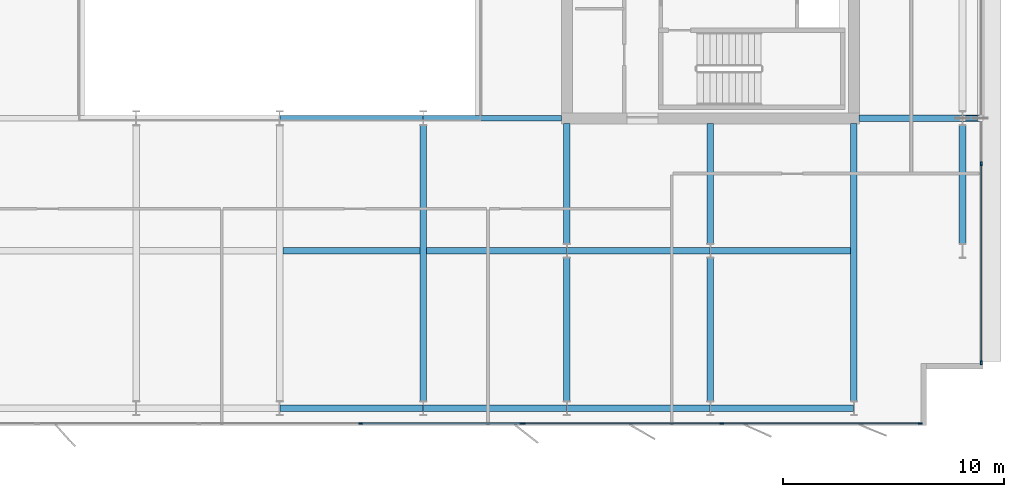
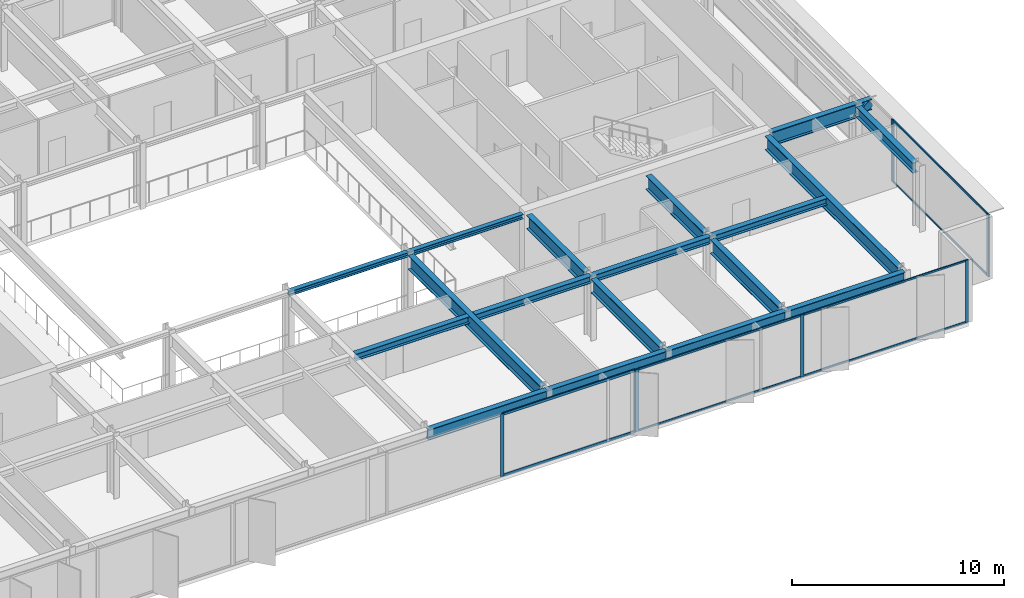
# One storey, part 6 of 19: 19 beams, 16 members, 3 elements without a shape of their own.
"""IFC4 building model written with IfcOpenShell, lengths in metres."""

import ifcopenshell
import ifcopenshell.guid

model = None  # the IFC model being written
_history = None  # IfcOwnerHistory: only IFC2X3 demands one
_inside = {}  # id of a spatial element -> (the spatial element, [elements in it])
_under = {}  # id of a project, library or spatial element -> (it, [spatial elements below it])
_declared = {}  # id of a project -> (the project, [libraries it declares])
_typed = {}  # id of a type object -> (the type object, [elements of that type])
_made_of = {}  # id of a material, layer set ... -> (it, [elements and type objects made of it])


def new_model(schema):
    """Start an empty IFC model of exactly this schema.

    Asked for "IFC4X3", IfcOpenShell would pick the latest addendum, in which some entities
    have other attributes; the version numbers below select the first issue.
    IFC2X3 requires an IfcOwnerHistory on every rooted entity: one is made here for all.
    """
    global model, _history
    if schema == "IFC4X3":
        model = ifcopenshell.file(schema_version=(4, 3, 0, 0))
    else:
        model = ifcopenshell.file(schema=schema)
    _inside.clear()
    _under.clear()
    _declared.clear()
    _typed.clear()
    _made_of.clear()
    _history = None
    if model.schema == "IFC2X3":
        org = make("IfcOrganization", Name="unknown")
        user = make(
            "IfcPersonAndOrganization",
            ThePerson=make("IfcPerson", FamilyName="unknown"),
            TheOrganization=org,
        )
        app = make(
            "IfcApplication",
            ApplicationDeveloper=org,
            Version="unknown",
            ApplicationFullName="unknown",
            ApplicationIdentifier="unknown",
        )
        _history = make(
            "IfcOwnerHistory",
            OwningUser=user,
            OwningApplication=app,
            ChangeAction="ADDED",
            CreationDate=0,
        )
    return model


def make(cls, **values):
    """One entity of the class cls with the attributes given. An attribute that is None is left unset."""
    return model.create_entity(
        cls, **{name: value for name, value in values.items() if value is not None}
    )


def rooted(cls, **values):
    """An entity with a GlobalId (a new one), such as an element, a storey or a relation."""
    return make(cls, GlobalId=ifcopenshell.guid.new(), OwnerHistory=_history, **values)


def si_unit(unit_type, name, prefix=None):
    """IfcSIUnit, for example si_unit("LENGTHUNIT", "METRE", prefix="MILLI")."""
    return make("IfcSIUnit", UnitType=unit_type, Prefix=prefix, Name=name)


def assignment(units):
    """IfcUnitAssignment: the units of a project."""
    return None if units is None else make("IfcUnitAssignment", Units=units)


def point(xyz):
    """IfcCartesianPoint."""
    return None if xyz is None else make("IfcCartesianPoint", Coordinates=xyz)


def direction(xyz):
    """IfcDirection."""
    return None if xyz is None else make("IfcDirection", DirectionRatios=xyz)


def frame(location, z_axis=None, x_axis=None):
    """IfcAxis2Placement3D, a coordinate frame: its origin and axes. An axis left out is left unset."""
    return make(
        "IfcAxis2Placement3D",
        Location=point(location),
        Axis=direction(z_axis),
        RefDirection=direction(x_axis),
    )


def frame_2d(location, x_axis=None):
    """IfcAxis2Placement2D, a coordinate frame in the plane: its origin and x axis."""
    return make(
        "IfcAxis2Placement2D", Location=point(location), RefDirection=direction(x_axis)
    )


def origin():
    """The frame at (0, 0, 0) with its axes left unset."""
    return frame((0.0, 0.0, 0.0))


def origin_2d():
    """The frame at (0, 0) in the plane with its x axis left unset."""
    return frame_2d((0.0, 0.0))


def place(relative_to, where):
    """IfcLocalPlacement: puts the frame where relative to a parent placement (None: the world)."""
    return make(
        "IfcLocalPlacement", PlacementRelTo=relative_to, RelativePlacement=where
    )


def context(
    kind, dimensions, precision=None, world=None, true_north=None, identifier=None
):
    """IfcGeometricRepresentationContext, for example the 3D "Model" context."""
    return make(
        "IfcGeometricRepresentationContext",
        ContextIdentifier=identifier,
        ContextType=kind,
        CoordinateSpaceDimension=dimensions,
        Precision=precision,
        WorldCoordinateSystem=world,
        TrueNorth=true_north,
    )


def subcontext(parent, identifier, kind, view, scale=None):
    """IfcGeometricRepresentationSubContext, for example "Body" below "Model"."""
    return make(
        "IfcGeometricRepresentationSubContext",
        ContextIdentifier=identifier,
        ContextType=kind,
        ParentContext=parent,
        TargetScale=scale,
        TargetView=view,
    )


def project(units=None, contexts=None):
    """IfcProject with its units and contexts."""
    return rooted(
        "IfcProject",
        Name="project",
        RepresentationContexts=contexts,
        UnitsInContext=assignment(units),
    )


def spatial(cls, under=None, at=None, **own):
    """A site, building, storey or space (cls), placed at a placement, below another one or the project."""
    s = rooted(cls, ObjectPlacement=at, **own)
    if under is not None:
        _under.setdefault(under.id(), (under, []))[1].append(s)
    return s


def profile(cls, at=None, kind="AREA", **sizes):
    """A parametric profile (cls). Its sizes go by their IFC names, for example OverallWidth=200.0."""
    return make(cls, ProfileType=kind, Position=at, **sizes)


def rectangle(**sizes):
    """IfcRectangleProfileDef."""
    return profile("IfcRectangleProfileDef", **sizes)


def hollow_rectangle(**sizes):
    """IfcRectangleHollowProfileDef."""
    return profile("IfcRectangleHollowProfileDef", **sizes)


def i_section(**sizes):
    """IfcIShapeProfileDef."""
    return profile("IfcIShapeProfileDef", **sizes)


def extrude(swept, where, along, depth):
    """IfcExtrudedAreaSolid: the profile swept, set in the frame where, extruded along a direction by depth."""
    return make(
        "IfcExtrudedAreaSolid",
        SweptArea=swept,
        Position=where,
        ExtrudedDirection=direction(along),
        Depth=depth,
    )


def shape(context_of_items, identifier, shape_type, items):
    """IfcShapeRepresentation: the items that make up one representation, for example the "Body"."""
    return make(
        "IfcShapeRepresentation",
        ContextOfItems=context_of_items,
        RepresentationIdentifier=identifier,
        RepresentationType=shape_type,
        Items=items,
    )


def material(Name=None, Category=None):
    """IfcMaterial."""
    return make("IfcMaterial", Name=Name, Category=Category)


def layer(
    of_material, thickness, ventilated=None, Name=None, Category=None, Priority=None
):
    """IfcMaterialLayer: one layer of a wall or slab, of a material (None: an air gap)."""
    return make(
        "IfcMaterialLayer",
        Material=of_material,
        LayerThickness=thickness,
        IsVentilated=ventilated,
        Name=Name,
        Category=Category,
        Priority=Priority,
    )


def layer_set(layers, Name=None):
    """IfcMaterialLayerSet."""
    return make("IfcMaterialLayerSet", MaterialLayers=layers, LayerSetName=Name)


def material_profile(
    of_material, cross_section, Name=None, Category=None, Priority=None
):
    """IfcMaterialProfile: a cross section and its material."""
    return make(
        "IfcMaterialProfile",
        Name=Name,
        Material=of_material,
        Profile=cross_section,
        Priority=Priority,
        Category=Category,
    )


def profile_set(profiles, Name=None, composite=None):
    """IfcMaterialProfileSet."""
    return make(
        "IfcMaterialProfileSet",
        Name=Name,
        MaterialProfiles=profiles,
        CompositeProfile=composite,
    )


def made_of(thing, what):
    """Note that an element or type object is made of a material, layer set ...; save() writes the relation."""
    if what is not None:
        _made_of.setdefault(what.id(), (what, []))[1].append(thing)
    return thing


def type_object(cls, material=None, **own):
    """A type object (cls), such as IfcWallType, which elements share."""
    return made_of(rooted(cls, **own), material)


def element(
    cls,
    number,
    at=None,
    inside=None,
    cuts=None,
    type_object=None,
    material=None,
    context=None,
    identifier="Body",
    shape_type=None,
    held_by="IfcProductDefinitionShape",
    body=None,
    shapes=None,
    **own,
):
    """One element of the class cls, such as IfcWall. Its Tag is "e" and its number.

    at: its placement. inside: the storey or other place that contains it. cuts: it is an
    opening in that element (IfcRelVoidsElement). A single representation is given by context,
    identifier, shape_type and body (its items); several are given by shapes. held_by: the class
    of the entity that holds the representations. save() writes the other relations.
    """
    e = rooted(cls, Tag="e%d" % number, ObjectPlacement=at, **own)
    if body is not None:
        shapes = [shape(context, identifier, shape_type, body)]
    if shapes is not None:
        e.Representation = make(held_by, Representations=shapes)
    if inside is not None:
        _inside.setdefault(inside.id(), (inside, []))[1].append(e)
    if cuts is not None:
        rooted(
            "IfcRelVoidsElement", RelatingBuildingElement=cuts, RelatedOpeningElement=e
        )
    if type_object is not None:
        _typed.setdefault(type_object.id(), (type_object, []))[1].append(e)
    return made_of(e, material)


def aggregate(whole, parts):
    """IfcRelAggregates: a whole, such as a stair, and the parts it consists of."""
    return rooted("IfcRelAggregates", RelatingObject=whole, RelatedObjects=parts)


def save(model, path):
    """Write the relations noted so far, then the file.

    IfcRelAggregates (storeys below a building ...), IfcRelContainedInSpatialStructure (elements
    in a storey), IfcRelDefinesByType, IfcRelAssociatesMaterial and IfcRelDeclares: one each for
    every whole, place, type object, material and project.
    """
    for whole, parts in _under.values():
        aggregate(whole, parts)
    for where, things in _inside.values():
        rooted(
            "IfcRelContainedInSpatialStructure",
            RelatedElements=things,
            RelatingStructure=where,
        )
    for kind, things in _typed.values():
        rooted("IfcRelDefinesByType", RelatedObjects=things, RelatingType=kind)
    for what, things in _made_of.values():
        rooted("IfcRelAssociatesMaterial", RelatedObjects=things, RelatingMaterial=what)
    for by, libraries in _declared.values():
        rooted("IfcRelDeclares", RelatingContext=by, RelatedDefinitions=libraries)
    model.write(path)


model = new_model("IFC4")

# Units and contexts
model_context = context("Model", 3, precision=1e-05, world=origin(), true_north=direction((0.0, 1.0)))
body_context = subcontext(model_context, "Body", "Model", "MODEL_VIEW")
ifc_project = project(units=[si_unit("LENGTHUNIT", "METRE"), si_unit("AREAUNIT", "SQUARE_METRE"), si_unit("VOLUMEUNIT", "CUBIC_METRE"), si_unit("PLANEANGLEUNIT", "RADIAN"), si_unit("MASSUNIT", "GRAM", prefix="KILO")], contexts=[model_context])

# Site, building, storey
site_placement = place(None, origin())
site = spatial("IfcSite", under=ifc_project, at=site_placement, CompositionType="ELEMENT")
building_placement = place(site_placement, origin())
building = spatial("IfcBuilding", under=site, at=building_placement, Name="Putna Gate Headquarters", CompositionType="ELEMENT")
storey_placement = place(building_placement, frame((0.0, 0.0, 259.39990234375)))
storey = spatial("IfcBuildingStorey", under=building, at=storey_placement, Name="L65", CompositionType="ELEMENT", Elevation=259.39990234375)

# Beams
ifc_material_1 = material(Name="Steel S355J2", Category="steel")
ifc_material_profile_1 = material_profile(ifc_material_1, i_section(OverallWidth=0.260009765625, OverallDepth=0.260009765625, WebThickness=0.010009765625, FlangeThickness=0.017578125, at=origin_2d()), Name="Steel S355J2")
ifc_profile_set_1 = profile_set([ifc_material_profile_1], Name="Steel S355J2")
beam_type_1 = type_object("IfcBeamType", Name="BM-ATRIUM-HEB260", PredefinedType="BEAM", material=ifc_profile_set_1)
beam_1_placement = place(storey_placement, frame((39.006103515625, 19.0, 3.4580078125), z_axis=(1.0, 0.0, 0.0), x_axis=(0.0, 1.0, 0.0)))
element("IfcBeam", 1, at=beam_1_placement, inside=storey, type_object=beam_type_1, Name="L65 Atrium Edge Beam AS3", PredefinedType="BEAM", context=body_context, shape_type="SweptSolid", body=[
    extrude(i_section(OverallWidth=0.260009765625, OverallDepth=0.260009765625, WebThickness=0.010009765625, FlangeThickness=0.017578125, at=origin_2d()), origin(), (0.0, 0.0, 1.0), 6.48779296875),
])
beam_2_placement = place(storey_placement, frame((45.506103515625, 19.0, 3.4580078125), z_axis=(1.0, 0.0, 0.0), x_axis=(0.0, 1.0, 0.0)))
element("IfcBeam", 2, at=beam_2_placement, inside=storey, type_object=beam_type_1, Name="L65 Atrium Edge Beam AS4", PredefinedType="BEAM", context=body_context, shape_type="SweptSolid", body=[
    extrude(i_section(OverallWidth=0.260009765625, OverallDepth=0.260009765625, WebThickness=0.010009765625, FlangeThickness=0.017578125, at=origin_2d()), origin(), (0.0, 0.0, 1.0), 6.2587890625),
])
ifc_material_profile_2 = material_profile(ifc_material_1, i_section(OverallWidth=0.300048828125, OverallDepth=0.800048828125, WebThickness=0.017578125, FlangeThickness=0.032958984375, at=origin_2d()), Name="Steel S355J2")
ifc_profile_set_2 = profile_set([ifc_material_profile_2], Name="Steel S355J2")
beam_type_2 = type_object("IfcBeamType", Name="BM-GIRD-P-HEB800", PredefinedType="USERDEFINED", material=ifc_profile_set_2)
beam_3_placement = place(storey_placement, frame((65.235107421875, 19.0, 3.18798828125), z_axis=(1.0, 0.0, 0.0), x_axis=(0.0, 1.0, 0.0)))
element("IfcBeam", 3, at=beam_3_placement, inside=storey, type_object=beam_type_2, Name="L65 East Wing Girder Y19", ObjectType="GIRDER", PredefinedType="USERDEFINED", context=body_context, shape_type="SweptSolid", body=[
    extrude(i_section(OverallWidth=0.300048828125, OverallDepth=0.800048828125, WebThickness=0.017578125, FlangeThickness=0.032958984375, at=origin_2d()), origin(), (0.0, 0.0, 1.0), 4.678955078125),
])
beam_4_placement = place(storey_placement, frame((45.5, 6.201904296875, 3.18798828125), z_axis=(0.0, 1.0, 0.0), x_axis=(-1.0, 0.0, 0.0)))
element("IfcBeam", 4, at=beam_4_placement, inside=storey, type_object=beam_type_2, Name="L65 South Primary Girder X45", ObjectType="GIRDER", PredefinedType="USERDEFINED", context=body_context, shape_type="SweptSolid", body=[
    extrude(i_section(OverallWidth=0.300048828125, OverallDepth=0.800048828125, WebThickness=0.017578125, FlangeThickness=0.032958984375, at=origin_2d()), origin(), (0.0, 0.0, 1.0), 12.47607421875),
])
beam_5_placement = place(storey_placement, frame((52.0, 6.201904296875, 3.18798828125), z_axis=(0.0, 1.0, 0.0), x_axis=(-1.0, 0.0, 0.0)))
element("IfcBeam", 5, at=beam_5_placement, inside=storey, type_object=beam_type_2, Name="L65 South Primary Girder X52-1", ObjectType="GIRDER", PredefinedType="USERDEFINED", context=body_context, shape_type="SweptSolid", body=[
    extrude(i_section(OverallWidth=0.300048828125, OverallDepth=0.800048828125, WebThickness=0.017578125, FlangeThickness=0.032958984375, at=origin_2d()), origin(), (0.0, 0.0, 1.0), 6.47607421875),
])
beam_6_placement = place(storey_placement, frame((52.0, 13.322021484375, 3.18798828125), z_axis=(0.0, 1.0, 0.0), x_axis=(-1.0, 0.0, 0.0)))
element("IfcBeam", 6, at=beam_6_placement, inside=storey, type_object=beam_type_2, Name="L65 South Primary Girder X52-2", ObjectType="GIRDER", PredefinedType="USERDEFINED", context=body_context, shape_type="SweptSolid", body=[
    extrude(i_section(OverallWidth=0.300048828125, OverallDepth=0.800048828125, WebThickness=0.017578125, FlangeThickness=0.032958984375, at=origin_2d()), origin(), (0.0, 0.0, 1.0), 5.44287109375),
])
beam_7_placement = place(storey_placement, frame((58.5, 6.201904296875, 3.18798828125), z_axis=(0.0, 1.0, 0.0), x_axis=(-1.0, 0.0, 0.0)))
element("IfcBeam", 7, at=beam_7_placement, inside=storey, type_object=beam_type_2, Name="L65 South Primary Girder X58-1", ObjectType="GIRDER", PredefinedType="USERDEFINED", context=body_context, shape_type="SweptSolid", body=[
    extrude(i_section(OverallWidth=0.300048828125, OverallDepth=0.800048828125, WebThickness=0.017578125, FlangeThickness=0.032958984375, at=origin_2d()), origin(), (0.0, 0.0, 1.0), 6.47607421875),
])
beam_8_placement = place(storey_placement, frame((58.5, 13.322021484375, 3.18798828125), z_axis=(0.0, 1.0, 0.0), x_axis=(-1.0, 0.0, 0.0)))
element("IfcBeam", 8, at=beam_8_placement, inside=storey, type_object=beam_type_2, Name="L65 South Primary Girder X58-2", ObjectType="GIRDER", PredefinedType="USERDEFINED", context=body_context, shape_type="SweptSolid", body=[
    extrude(i_section(OverallWidth=0.300048828125, OverallDepth=0.800048828125, WebThickness=0.017578125, FlangeThickness=0.032958984375, at=origin_2d()), origin(), (0.0, 0.0, 1.0), 5.44287109375),
])
beam_9_placement = place(storey_placement, frame((65.0, 6.201904296875, 3.18798828125), z_axis=(0.0, 1.0, 0.0), x_axis=(-1.0, 0.0, 0.0)))
element("IfcBeam", 9, at=beam_9_placement, inside=storey, type_object=beam_type_2, Name="L65 South Primary Girder X65", ObjectType="GIRDER", PredefinedType="USERDEFINED", context=body_context, shape_type="SweptSolid", body=[
    extrude(i_section(OverallWidth=0.300048828125, OverallDepth=0.800048828125, WebThickness=0.017578125, FlangeThickness=0.032958984375, at=origin_2d()), origin(), (0.0, 0.0, 1.0), 12.56298828125),
])
ifc_material_profile_3 = material_profile(ifc_material_1, i_section(OverallWidth=0.300048828125, OverallDepth=0.60009765625, WebThickness=0.015380859375, FlangeThickness=0.030029296875, at=origin_2d()), Name="Steel S355J2")
ifc_profile_set_3 = profile_set([ifc_material_profile_3], Name="Steel S355J2")
beam_type_3 = type_object("IfcBeamType", Name="BM-GIRD-SAIL-HEB600", PredefinedType="USERDEFINED", material=ifc_profile_set_3)
beam_10_placement = place(storey_placement, frame((69.926025390625, 19.0, 3.2880859375), z_axis=(1.0, 0.0, 0.0), x_axis=(0.0, 1.0, 0.0)))
element("IfcBeam", 10, at=beam_10_placement, inside=storey, type_object=beam_type_3, Name="L65 East Sail Outrigger Bracket Y19", ObjectType="GIRDER", PredefinedType="USERDEFINED", context=body_context, shape_type="SweptSolid", body=[
    extrude(i_section(OverallWidth=0.300048828125, OverallDepth=0.60009765625, WebThickness=0.015380859375, FlangeThickness=0.030029296875, at=origin_2d()), origin(), (0.0, 0.0, 1.0), 0.81298828125),
])
ifc_material_profile_4 = material_profile(ifc_material_1, i_section(OverallWidth=0.300048828125, OverallDepth=0.389892578125, WebThickness=0.010986328125, FlangeThickness=0.01904296875, at=origin_2d()), Name="Steel S355J2")
ifc_profile_set_4 = profile_set([ifc_material_profile_4], Name="Steel S355J2")
beam_type_4 = type_object("IfcBeamType", Name="BM-SEC-Z5-HEA400", PredefinedType="BEAM", material=ifc_profile_set_4)
beam_11_placement = place(storey_placement, frame((39.154052734375, 13.0, 3.39306640625), z_axis=(1.0, 0.0, 0.0), x_axis=(0.0, 1.0, 0.0)))
element("IfcBeam", 11, at=beam_11_placement, inside=storey, type_object=beam_type_4, Name="L65 South Secondary Beam 5", PredefinedType="BEAM", context=body_context, shape_type="SweptSolid", body=[
    extrude(i_section(OverallWidth=0.300048828125, OverallDepth=0.389892578125, WebThickness=0.010986328125, FlangeThickness=0.01904296875, at=origin_2d()), origin(), (0.0, 0.0, 1.0), 6.19189453125),
])
beam_12_placement = place(storey_placement, frame((45.654052734375, 13.0, 3.39306640625), z_axis=(1.0, 0.0, 0.0), x_axis=(0.0, 1.0, 0.0)))
element("IfcBeam", 12, at=beam_12_placement, inside=storey, type_object=beam_type_4, Name="L65 South Secondary Beam 6", PredefinedType="BEAM", context=body_context, shape_type="SweptSolid", body=[
    extrude(i_section(OverallWidth=0.300048828125, OverallDepth=0.389892578125, WebThickness=0.010986328125, FlangeThickness=0.01904296875, at=origin_2d()), origin(), (0.0, 0.0, 1.0), 6.33984375),
])
beam_13_placement = place(storey_placement, frame((52.006103515625, 13.0, 3.39306640625), z_axis=(1.0, 0.0, 0.0), x_axis=(0.0, 1.0, 0.0)))
element("IfcBeam", 13, at=beam_13_placement, inside=storey, type_object=beam_type_4, Name="L65 South Secondary Beam 7", PredefinedType="BEAM", context=body_context, shape_type="SweptSolid", body=[
    extrude(i_section(OverallWidth=0.300048828125, OverallDepth=0.389892578125, WebThickness=0.010986328125, FlangeThickness=0.01904296875, at=origin_2d()), origin(), (0.0, 0.0, 1.0), 6.48779296875),
])
beam_14_placement = place(storey_placement, frame((58.506103515625, 13.0, 3.39306640625), z_axis=(1.0, 0.0, 0.0), x_axis=(0.0, 1.0, 0.0)))
element("IfcBeam", 14, at=beam_14_placement, inside=storey, type_object=beam_type_4, Name="L65 South Secondary Beam 8", PredefinedType="BEAM", context=body_context, shape_type="SweptSolid", body=[
    extrude(i_section(OverallWidth=0.300048828125, OverallDepth=0.389892578125, WebThickness=0.010986328125, FlangeThickness=0.01904296875, at=origin_2d()), origin(), (0.0, 0.0, 1.0), 6.33984375),
])
ifc_material_profile_5 = material_profile(ifc_material_1, i_section(OverallWidth=0.300048828125, OverallDepth=0.590087890625, WebThickness=0.012939453125, FlangeThickness=0.02490234375, at=origin_2d()), Name="Steel S355J2")
ifc_profile_set_5 = profile_set([ifc_material_profile_5], Name="Steel S355J2")
beam_type_5 = type_object("IfcBeamType", Name="BM-SPAN-Z4-HEA600", PredefinedType="SPANDREL", material=ifc_profile_set_5)
for number, where, z_axis, x_axis, name in (
    (15, (39.006103515625, 5.8798828125, 3.293212890625), (1.0, 0.0, 0.0), (0.0, 1.0, 0.0), "L65 S Perimeter Spandrel 5"),
    (16, (45.506103515625, 5.8798828125, 3.293212890625), (1.0, 0.0, 0.0), (0.0, 1.0, 0.0), "L65 S Perimeter Spandrel 6"),
    (17, (52.006103515625, 5.8798828125, 3.293212890625), (1.0, 0.0, 0.0), (0.0, 1.0, 0.0), "L65 S Perimeter Spandrel 7"),
    (18, (58.506103515625, 5.8798828125, 3.293212890625), (1.0, 0.0, 0.0), (0.0, 1.0, 0.0), "L65 S Perimeter Spandrel 8"),
):
    element("IfcBeam", number, at=place(storey_placement, frame(where, z_axis=z_axis, x_axis=x_axis)), inside=storey, type_object=beam_type_5, Name=name, PredefinedType="SPANDREL", context=body_context, shape_type="SweptSolid", body=[
        extrude(i_section(OverallWidth=0.300048828125, OverallDepth=0.590087890625, WebThickness=0.012939453125, FlangeThickness=0.02490234375, at=origin_2d()), origin(), (0.0, 0.0, 1.0), 6.48779296875),
    ])
beam_15_placement = place(storey_placement, frame((69.919921875, 13.322021484375, 3.293212890625), z_axis=(0.0, 1.0, 0.0), x_axis=(-1.0, 0.0, 0.0)))
element("IfcBeam", 19, at=beam_15_placement, inside=storey, type_object=beam_type_5, Name="L65 E End Spandrel 1", PredefinedType="SPANDREL", context=body_context, shape_type="SweptSolid", body=[
    extrude(i_section(OverallWidth=0.300048828125, OverallDepth=0.590087890625, WebThickness=0.012939453125, FlangeThickness=0.02490234375, at=origin_2d()), origin(), (0.0, 0.0, 1.0), 5.35595703125),
])

# Member
ifc_material_2 = material(Name="Steel S460M", Category="steel")
ifc_material_profile_6 = material_profile(ifc_material_2, hollow_rectangle(XDim=0.25, YDim=0.39990234375, WallThickness=0.01611328125, at=origin_2d()), Name="Steel S460M")
ifc_profile_set_6 = profile_set([ifc_material_profile_6], Name="Steel S460M")
member_type_1 = type_object("IfcMemberType", Name="MEM-SAIL-BRACE-RHS400", PredefinedType="BRACE", material=ifc_profile_set_6)
member_1_placement = place(storey_placement, frame((69.930908203125, 19.0, 2.76220703125), z_axis=(0.796526130817, 0.0, 0.604604104291), x_axis=(0.0, 1.0, 0.0)))
element("IfcMember", 20, at=member_1_placement, inside=storey, type_object=member_type_1, Name="L65 East Sail Cantilever Raker Y19", PredefinedType="BRACE", context=body_context, shape_type="SweptSolid", body=[
    extrude(hollow_rectangle(XDim=0.25, YDim=0.39990234375, WallThickness=0.01611328125, at=origin_2d()), origin(), (0.0, 0.0, 1.0), 0.98193359375),
])

# Curtain wall, members
ifc_material_3 = material(Name="Anodised bronze aluminium curtain wall", Category="aluminium")
ifc_layer_1 = layer(ifc_material_3, 0.179931640625)
ifc_layer_set_1 = layer_set([ifc_layer_1], Name="Anodised bronze aluminium curtain wall")
curtain_wall_type_1 = type_object("IfcCurtainWallType", Name="CW-SYS-Z5", PredefinedType="USERDEFINED", material=ifc_layer_set_1)
curtain_wall_1_placement = place(storey_placement, origin())
curtain_wall_1 = element("IfcCurtainWall", 21, at=curtain_wall_1_placement, inside=storey, type_object=curtain_wall_type_1, Name="L65 South East Curtain Wall", ObjectType="STICK CURTAIN WALL", PredefinedType="USERDEFINED")
ifc_material_4 = material(Name="Anodised bronze aluminium EN AW-6060", Category="aluminium")
ifc_material_profile_7 = material_profile(ifc_material_4, rectangle(XDim=0.070068359375, YDim=0.179931640625, at=origin_2d()), Name="Anodised bronze aluminium EN AW-6060")
ifc_profile_set_7 = profile_set([ifc_material_profile_7], Name="Anodised bronze aluminium EN AW-6060")
member_type_2 = type_object("IfcMemberType", Name="MULL-CWM-5", PredefinedType="MULLION", material=ifc_profile_set_7)
member_2_placement = place(storey_placement, frame((50.034912109375, 5.179931640625, 0.0), z_axis=(0.0, 0.0, 1.0), x_axis=(0.0, 1.0, 0.0)))
member_2 = element("IfcMember", 22, at=member_2_placement, type_object=member_type_2, Name="CWS-5 mullion 1", PredefinedType="MULLION", context=body_context, shape_type="SweptSolid", body=[
    extrude(rectangle(XDim=0.070068359375, YDim=0.179931640625, at=origin_2d()), origin(), (0.0, 0.0, 1.0), 3.588134765625),
])
member_3_placement = place(storey_placement, frame((59.02392578125, 5.179931640625, 0.0), z_axis=(0.0, 0.0, 1.0), x_axis=(0.0, 1.0, 0.0)))
member_3 = element("IfcMember", 23, at=member_3_placement, type_object=member_type_2, Name="CWS-5 mullion 2", PredefinedType="MULLION", context=body_context, shape_type="SweptSolid", body=[
    extrude(rectangle(XDim=0.070068359375, YDim=0.179931640625, at=origin_2d()), origin(), (0.0, 0.0, 1.0), 3.588134765625),
])
member_4_placement = place(storey_placement, frame((68.012939453125, 5.179931640625, 0.0), z_axis=(0.0, 0.0, 1.0), x_axis=(0.0, 1.0, 0.0)))
member_4 = element("IfcMember", 24, at=member_4_placement, type_object=member_type_2, Name="CWS-5 mullion 3", PredefinedType="MULLION", context=body_context, shape_type="SweptSolid", body=[
    extrude(rectangle(XDim=0.070068359375, YDim=0.179931640625, at=origin_2d()), origin(), (0.0, 0.0, 1.0), 3.588134765625),
])

curtain_wall_2_placement = place(storey_placement, origin())
curtain_wall_2 = element("IfcCurtainWall", 25, at=curtain_wall_2_placement, inside=storey, type_object=curtain_wall_type_1, Name="L65 East Curtain Wall", ObjectType="STICK CURTAIN WALL", PredefinedType="USERDEFINED")
member_5_placement = place(storey_placement, frame((70.767822265625, 7.93505859375, 0.0), z_axis=(0.0, 0.0, 1.0), x_axis=(-1.0, 0.0, 0.0)))
member_5 = element("IfcMember", 26, at=member_5_placement, type_object=member_type_2, Name="CWS-5 mullion 1", PredefinedType="MULLION", context=body_context, shape_type="SweptSolid", body=[
    extrude(rectangle(XDim=0.070068359375, YDim=0.179931640625, at=origin_2d()), origin(), (0.0, 0.0, 1.0), 3.588134765625),
])
member_6_placement = place(storey_placement, frame((70.767822265625, 16.949951171875, 0.0), z_axis=(0.0, 0.0, 1.0), x_axis=(-1.0, 0.0, 0.0)))
member_6 = element("IfcMember", 27, at=member_6_placement, type_object=member_type_2, Name="CWS-5 mullion 2", PredefinedType="MULLION", context=body_context, shape_type="SweptSolid", body=[
    extrude(rectangle(XDim=0.070068359375, YDim=0.179931640625, at=origin_2d()), origin(), (0.0, 0.0, 1.0), 3.588134765625),
])

ifc_layer_2 = layer(ifc_material_3, 0.179931640625)
ifc_layer_set_2 = layer_set([ifc_layer_2], Name="Anodised bronze aluminium curtain wall")
curtain_wall_type_2 = type_object("IfcCurtainWallType", Name="CW-SYS-ATR", PredefinedType="USERDEFINED", material=ifc_layer_set_2)
curtain_wall_3_placement = place(storey_placement, origin())
curtain_wall_3 = element("IfcCurtainWall", 28, at=curtain_wall_3_placement, inside=storey, type_object=curtain_wall_type_2, Name="L65 South Atrium Clear Glazing", ObjectType="ATRIUM GLAZING", PredefinedType="USERDEFINED")
ifc_material_profile_8 = material_profile(ifc_material_4, rectangle(XDim=0.070068359375, YDim=0.179931640625, at=origin_2d()), Name="Anodised bronze aluminium EN AW-6060")
ifc_profile_set_8 = profile_set([ifc_material_profile_8], Name="Anodised bronze aluminium EN AW-6060")
member_type_3 = type_object("IfcMemberType", Name="MULL-CWM-AT", PredefinedType="MULLION", material=ifc_profile_set_8)
member_7_placement = place(storey_placement, frame((42.666748046875, 5.179931640625, 0.0), z_axis=(0.0, 0.0, 1.0), x_axis=(0.0, 1.0, 0.0)))
member_7 = element("IfcMember", 29, at=member_7_placement, type_object=member_type_3, Name="CWS-AT mullion 3", PredefinedType="MULLION", context=body_context, shape_type="SweptSolid", body=[
    extrude(rectangle(XDim=0.070068359375, YDim=0.179931640625, at=origin_2d()), origin(), (0.0, 0.0, 1.0), 3.588134765625),
])
member_8_placement = place(storey_placement, frame((49.965087890625, 5.179931640625, 0.0), z_axis=(0.0, 0.0, 1.0), x_axis=(0.0, 1.0, 0.0)))
member_8 = element("IfcMember", 30, at=member_8_placement, type_object=member_type_3, Name="CWS-AT mullion 4", PredefinedType="MULLION", context=body_context, shape_type="SweptSolid", body=[
    extrude(rectangle(XDim=0.070068359375, YDim=0.179931640625, at=origin_2d()), origin(), (0.0, 0.0, 1.0), 3.588134765625),
])

# Member
ifc_material_profile_9 = material_profile(ifc_material_4, rectangle(XDim=0.06005859375, YDim=0.10009765625, at=origin_2d()), Name="Anodised bronze aluminium EN AW-6060")
ifc_profile_set_9 = profile_set([ifc_material_profile_9], Name="Anodised bronze aluminium EN AW-6060")
member_type_4 = type_object("IfcMemberType", Name="TRAN-CWT-5", PredefinedType="USERDEFINED", material=ifc_profile_set_9)
member_9_placement = place(storey_placement, frame((50.070068359375, 5.179931640625, 0.030029296875), z_axis=(1.0, 0.0, 0.0), x_axis=(0.0, 1.0, 0.0)))
member_9 = element("IfcMember", 31, at=member_9_placement, type_object=member_type_4, Name="CWS-5 transom 1.1", ObjectType="TRANSOM", PredefinedType="USERDEFINED", context=body_context, shape_type="SweptSolid", body=[
    extrude(rectangle(XDim=0.06005859375, YDim=0.10009765625, at=origin_2d()), origin(), (0.0, 0.0, 1.0), 8.9189453125),
])

member_10_placement = place(storey_placement, frame((50.070068359375, 5.179931640625, 3.55810546875), z_axis=(1.0, 0.0, 0.0), x_axis=(0.0, 1.0, 0.0)))
member_10 = element("IfcMember", 32, at=member_10_placement, type_object=member_type_4, Name="CWS-5 transom 1.2", ObjectType="TRANSOM", PredefinedType="USERDEFINED", context=body_context, shape_type="SweptSolid", body=[
    extrude(rectangle(XDim=0.06005859375, YDim=0.10009765625, at=origin_2d()), origin(), (0.0, 0.0, 1.0), 8.9189453125),
])

member_11_placement = place(storey_placement, frame((59.058837890625, 5.179931640625, 0.030029296875), z_axis=(1.0, 0.0, 0.0), x_axis=(0.0, 1.0, 0.0)))
member_11 = element("IfcMember", 33, at=member_11_placement, type_object=member_type_4, Name="CWS-5 transom 2.1", ObjectType="TRANSOM", PredefinedType="USERDEFINED", context=body_context, shape_type="SweptSolid", body=[
    extrude(rectangle(XDim=0.06005859375, YDim=0.10009765625, at=origin_2d()), origin(), (0.0, 0.0, 1.0), 8.9189453125),
])

member_12_placement = place(storey_placement, frame((59.058837890625, 5.179931640625, 3.55810546875), z_axis=(1.0, 0.0, 0.0), x_axis=(0.0, 1.0, 0.0)))
member_12 = element("IfcMember", 34, at=member_12_placement, type_object=member_type_4, Name="CWS-5 transom 2.2", ObjectType="TRANSOM", PredefinedType="USERDEFINED", context=body_context, shape_type="SweptSolid", body=[
    extrude(rectangle(XDim=0.06005859375, YDim=0.10009765625, at=origin_2d()), origin(), (0.0, 0.0, 1.0), 8.9189453125),
])

aggregate(curtain_wall_1, [member_2, member_3, member_4, member_9, member_10, member_11, member_12])

member_13_placement = place(storey_placement, frame((70.767822265625, 7.969970703125, 0.030029296875), z_axis=(0.0, 1.0, 0.0), x_axis=(-1.0, 0.0, 0.0)))
member_13 = element("IfcMember", 35, at=member_13_placement, type_object=member_type_4, Name="CWS-5 transom 1.1", ObjectType="TRANSOM", PredefinedType="USERDEFINED", context=body_context, shape_type="SweptSolid", body=[
    extrude(rectangle(XDim=0.06005859375, YDim=0.10009765625, at=origin_2d()), origin(), (0.0, 0.0, 1.0), 8.945068359375),
])

member_14_placement = place(storey_placement, frame((70.767822265625, 7.969970703125, 3.55810546875), z_axis=(0.0, 1.0, 0.0), x_axis=(-1.0, 0.0, 0.0)))
member_14 = element("IfcMember", 36, at=member_14_placement, type_object=member_type_4, Name="CWS-5 transom 1.2", ObjectType="TRANSOM", PredefinedType="USERDEFINED", context=body_context, shape_type="SweptSolid", body=[
    extrude(rectangle(XDim=0.06005859375, YDim=0.10009765625, at=origin_2d()), origin(), (0.0, 0.0, 1.0), 8.945068359375),
])

aggregate(curtain_wall_2, [member_5, member_6, member_13, member_14])

ifc_material_profile_10 = material_profile(ifc_material_4, rectangle(XDim=0.070068359375, YDim=0.139892578125, at=origin_2d()), Name="Anodised bronze aluminium EN AW-6060")
ifc_profile_set_10 = profile_set([ifc_material_profile_10], Name="Anodised bronze aluminium EN AW-6060")
member_type_5 = type_object("IfcMemberType", Name="TRAN-CWT-AT", PredefinedType="USERDEFINED", material=ifc_profile_set_10)
member_15_placement = place(storey_placement, frame((42.70166015625, 5.179931640625, 0.03515625), z_axis=(1.0, 0.0, 0.0), x_axis=(0.0, 1.0, 0.0)))
member_15 = element("IfcMember", 37, at=member_15_placement, type_object=member_type_5, Name="CWS-AT transom 3.1", ObjectType="TRANSOM", PredefinedType="USERDEFINED", context=body_context, shape_type="SweptSolid", body=[
    extrude(rectangle(XDim=0.070068359375, YDim=0.139892578125, at=origin_2d()), origin(), (0.0, 0.0, 1.0), 7.228271484375),
])

member_16_placement = place(storey_placement, frame((42.70166015625, 5.179931640625, 3.552978515625), z_axis=(1.0, 0.0, 0.0), x_axis=(0.0, 1.0, 0.0)))
member_16 = element("IfcMember", 38, at=member_16_placement, type_object=member_type_5, Name="CWS-AT transom 3.2", ObjectType="TRANSOM", PredefinedType="USERDEFINED", context=body_context, shape_type="SweptSolid", body=[
    extrude(rectangle(XDim=0.070068359375, YDim=0.139892578125, at=origin_2d()), origin(), (0.0, 0.0, 1.0), 7.228271484375),
])

aggregate(curtain_wall_3, [member_7, member_8, member_15, member_16])

save(model, "model.ifc")
